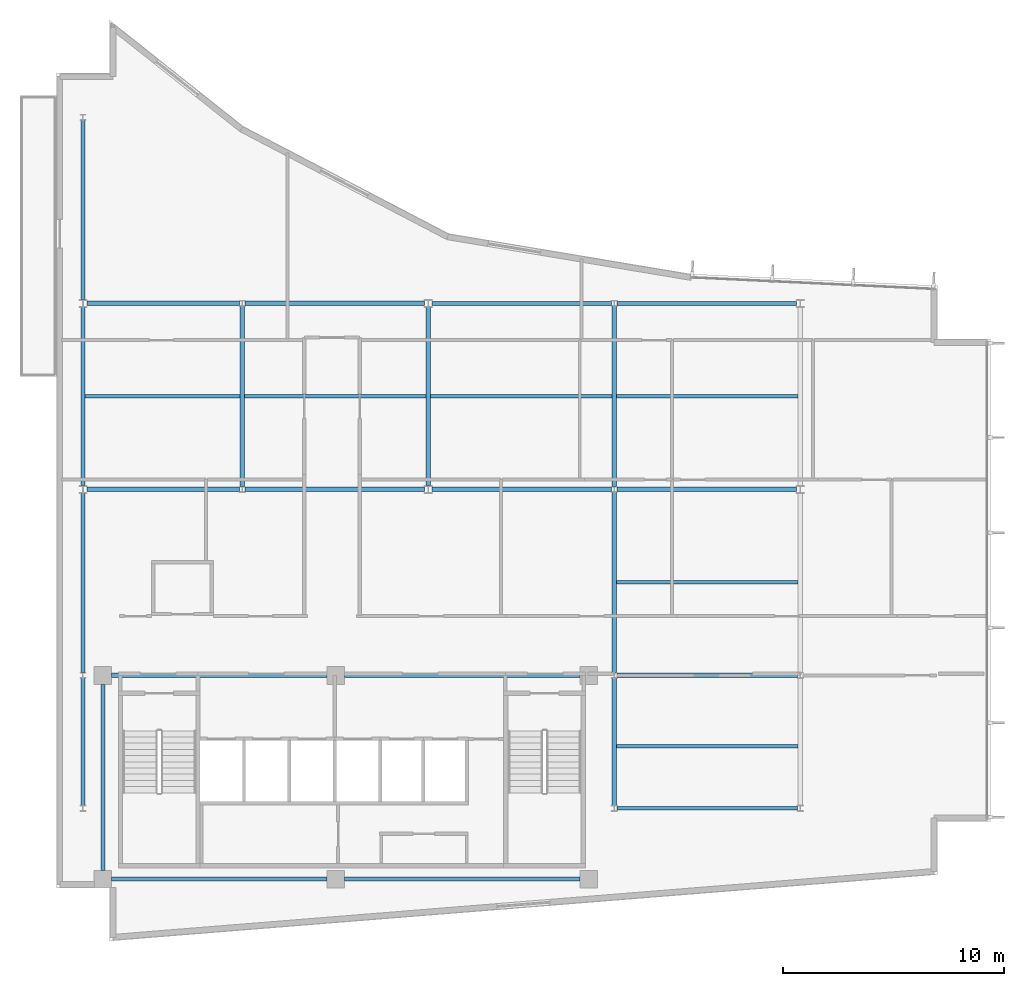
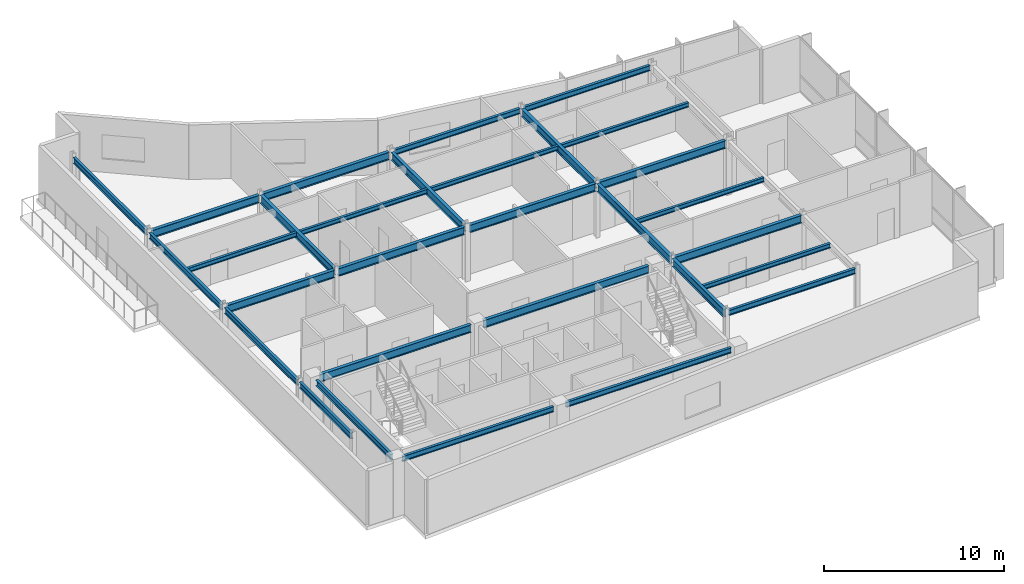
# One storey, part 5 of 16: 30 beams.
"""IFC4 building model written with IfcOpenShell, lengths in metres."""

from ifc_helpers import new_model, si_unit, direction, frame, origin, origin_2d, place, context, subcontext, project, spatial, i_section, extrude, material, material_profile, profile_set, type_object, element, save


model = new_model("IFC4")

# Units and contexts
model_context = context("Model", 3, precision=1e-05, world=origin(), true_north=direction((0.0, 1.0)))
body_context = subcontext(model_context, "Body", "Model", "MODEL_VIEW")
ifc_project = project(units=[si_unit("LENGTHUNIT", "METRE"), si_unit("AREAUNIT", "SQUARE_METRE"), si_unit("VOLUMEUNIT", "CUBIC_METRE"), si_unit("PLANEANGLEUNIT", "RADIAN"), si_unit("MASSUNIT", "GRAM", prefix="KILO")], contexts=[model_context])

# Site, building, storey
site_placement = place(None, origin())
site = spatial("IfcSite", under=ifc_project, at=site_placement, CompositionType="ELEMENT")
building_placement = place(site_placement, origin())
building = spatial("IfcBuilding", under=site, at=building_placement, Name="Varnakote Quay Hospital", CompositionType="ELEMENT")
storey_placement = place(building_placement, frame((0.0, 0.0, 264.449951171875)))
storey = spatial("IfcBuildingStorey", under=building, at=storey_placement, Name="L65", CompositionType="ELEMENT", Elevation=264.449951171875)

# Beams
ifc_material_1 = material(Name="Structural steel AS/NZS 3679.1 Grade 350 L0 (fy 340 MPa)", Category="steel")
ifc_material_profile_1 = material_profile(ifc_material_1, i_section(OverallWidth=0.208984375, OverallDepth=0.528076171875, WebThickness=0.009521484375, FlangeThickness=0.01318359375, FilletRadius=0.013916015625, at=origin_2d()), Name="530UB82.0")
ifc_profile_set_1 = profile_set([ifc_material_profile_1], Name="Structural steel AS/NZS 3679.1 Grade 350 L0 (fy 340 MPa)")
beam_type_1 = type_object("IfcBeamType", Name="BM-STL-530UB82-0", PredefinedType="BEAM", material=ifc_profile_set_1)
beam_1_placement = place(storey_placement, frame((2.5, 12.0, 3.446044921875), z_axis=(1.0, 0.0, 0.0), x_axis=(0.0, 1.0, 0.0)))
element("IfcBeam", 1, at=beam_1_placement, inside=storey, type_object=beam_type_1, Name="L65 Primary Floor Beam", PredefinedType="BEAM", context=body_context, shape_type="SweptSolid", body=[
    extrude(i_section(OverallWidth=0.208984375, OverallDepth=0.528076171875, WebThickness=0.009521484375, FlangeThickness=0.01318359375, FilletRadius=0.013916015625, at=origin_2d()), origin(), (0.0, 0.0, 1.0), 9.719970703125),
])
beam_2_placement = place(storey_placement, frame((13.02001953125, 12.0, 3.446044921875), z_axis=(1.0, 0.0, 0.0), x_axis=(0.0, 1.0, 0.0)))
element("IfcBeam", 2, at=beam_2_placement, inside=storey, type_object=beam_type_1, Name="L65 Primary Floor Beam", PredefinedType="BEAM", context=body_context, shape_type="SweptSolid", body=[
    extrude(i_section(OverallWidth=0.208984375, OverallDepth=0.528076171875, WebThickness=0.009521484375, FlangeThickness=0.01318359375, FilletRadius=0.013916015625, at=origin_2d()), origin(), (0.0, 0.0, 1.0), 10.6298828125),
])
beam_3_placement = place(storey_placement, frame((25.326904296875, 12.0, 3.446044921875), z_axis=(1.0, 0.0, 0.0), x_axis=(0.0, 1.0, 0.0)))
element("IfcBeam", 3, at=beam_3_placement, inside=storey, type_object=beam_type_1, Name="L65 Primary Floor Beam", PredefinedType="BEAM", context=body_context, shape_type="SweptSolid", body=[
    extrude(i_section(OverallWidth=0.208984375, OverallDepth=0.528076171875, WebThickness=0.009521484375, FlangeThickness=0.01318359375, FilletRadius=0.013916015625, at=origin_2d()), origin(), (0.0, 0.0, 1.0), 8.14599609375),
])
beam_4_placement = place(storey_placement, frame((1.375, 20.39990234375, 3.446044921875), z_axis=(1.0, 0.0, 0.0), x_axis=(0.0, 1.0, 0.0)))
element("IfcBeam", 4, at=beam_4_placement, inside=storey, type_object=beam_type_1, Name="L65 Primary Floor Beam", PredefinedType="BEAM", context=body_context, shape_type="SweptSolid", body=[
    extrude(i_section(OverallWidth=0.208984375, OverallDepth=0.528076171875, WebThickness=0.009521484375, FlangeThickness=0.01318359375, FilletRadius=0.013916015625, at=origin_2d()), origin(), (0.0, 0.0, 1.0), 6.89794921875),
])
for number, where, z_axis, x_axis, name in (
    (5, (8.527099609375, 20.39990234375, 3.446044921875), (1.0, 0.0, 0.0), (0.0, 1.0, 0.0), "L65 Primary Floor Beam"),
    (6, (16.97509765625, 20.39990234375, 3.446044921875), (1.0, 0.0, 0.0), (0.0, 1.0, 0.0), "L65 Primary Floor Beam"),
):
    element("IfcBeam", number, at=place(storey_placement, frame(where, z_axis=z_axis, x_axis=x_axis)), inside=storey, type_object=beam_type_1, Name=name, PredefinedType="BEAM", context=body_context, shape_type="SweptSolid", body=[
        extrude(i_section(OverallWidth=0.208984375, OverallDepth=0.528076171875, WebThickness=0.009521484375, FlangeThickness=0.01318359375, FilletRadius=0.013916015625, at=origin_2d()), origin(), (0.0, 0.0, 1.0), 8.097900390625),
    ])
beam_5_placement = place(storey_placement, frame((25.326904296875, 20.39990234375, 3.446044921875), z_axis=(1.0, 0.0, 0.0), x_axis=(0.0, 1.0, 0.0)))
element("IfcBeam", 7, at=beam_5_placement, inside=storey, type_object=beam_type_1, Name="L65 Primary Floor Beam", PredefinedType="BEAM", context=body_context, shape_type="SweptSolid", body=[
    extrude(i_section(OverallWidth=0.208984375, OverallDepth=0.528076171875, WebThickness=0.009521484375, FlangeThickness=0.01318359375, FilletRadius=0.013916015625, at=origin_2d()), origin(), (0.0, 0.0, 1.0), 8.09814453125),
])
beam_6_placement = place(storey_placement, frame((1.375, 28.800048828125, 3.446044921875), z_axis=(1.0, 0.0, 0.0), x_axis=(0.0, 1.0, 0.0)))
element("IfcBeam", 8, at=beam_6_placement, inside=storey, type_object=beam_type_1, Name="L65 Primary Floor Beam", PredefinedType="BEAM", context=body_context, shape_type="SweptSolid", body=[
    extrude(i_section(OverallWidth=0.208984375, OverallDepth=0.528076171875, WebThickness=0.009521484375, FlangeThickness=0.01318359375, FilletRadius=0.013916015625, at=origin_2d()), origin(), (0.0, 0.0, 1.0), 6.89794921875),
])
beam_7_placement = place(storey_placement, frame((8.527099609375, 28.800048828125, 3.446044921875), z_axis=(1.0, 0.0, 0.0), x_axis=(0.0, 1.0, 0.0)))
element("IfcBeam", 9, at=beam_7_placement, inside=storey, type_object=beam_type_1, Name="L65 Primary Floor Beam", PredefinedType="BEAM", context=body_context, shape_type="SweptSolid", body=[
    extrude(i_section(OverallWidth=0.208984375, OverallDepth=0.528076171875, WebThickness=0.009521484375, FlangeThickness=0.01318359375, FilletRadius=0.013916015625, at=origin_2d()), origin(), (0.0, 0.0, 1.0), 8.097900390625),
])
beam_8_placement = place(storey_placement, frame((8.39990234375, 20.527099609375, 3.446044921875), z_axis=(0.0, 1.0, 0.0), x_axis=(-1.0, 0.0, 0.0)))
element("IfcBeam", 10, at=beam_8_placement, inside=storey, type_object=beam_type_1, Name="L65 Primary Tie Beam", PredefinedType="BEAM", context=body_context, shape_type="SweptSolid", body=[
    extrude(i_section(OverallWidth=0.208984375, OverallDepth=0.528076171875, WebThickness=0.009521484375, FlangeThickness=0.01318359375, FilletRadius=0.013916015625, at=origin_2d()), origin(), (0.0, 0.0, 1.0), 8.14599609375),
])
beam_9_placement = place(storey_placement, frame((16.800048828125, 20.570068359375, 3.446044921875), z_axis=(0.0, 1.0, 0.0), x_axis=(-1.0, 0.0, 0.0)))
element("IfcBeam", 11, at=beam_9_placement, inside=storey, type_object=beam_type_1, Name="L65 Primary Tie Beam", PredefinedType="BEAM", context=body_context, shape_type="SweptSolid", body=[
    extrude(i_section(OverallWidth=0.208984375, OverallDepth=0.528076171875, WebThickness=0.009521484375, FlangeThickness=0.01318359375, FilletRadius=0.013916015625, at=origin_2d()), origin(), (0.0, 0.0, 1.0), 8.059814453125),
])
beam_10_placement = place(storey_placement, frame((25.199951171875, 6.126953125, 3.446044921875), z_axis=(0.0, 1.0, 0.0), x_axis=(-1.0, 0.0, 0.0)))
element("IfcBeam", 12, at=beam_10_placement, inside=storey, type_object=beam_type_1, Name="L65 Primary Tie Beam", PredefinedType="BEAM", context=body_context, shape_type="SweptSolid", body=[
    extrude(i_section(OverallWidth=0.208984375, OverallDepth=0.528076171875, WebThickness=0.009521484375, FlangeThickness=0.01318359375, FilletRadius=0.013916015625, at=origin_2d()), origin(), (0.0, 0.0, 1.0), 5.74609375),
])
for number, where, z_axis, x_axis, name in (
    (13, (25.199951171875, 12.126953125, 3.446044921875), (0.0, 1.0, 0.0), (-1.0, 0.0, 0.0), "L65 Primary Tie Beam"),
    (14, (25.199951171875, 20.527099609375, 3.446044921875), (0.0, 1.0, 0.0), (-1.0, 0.0, 0.0), "L65 Primary Tie Beam"),
):
    element("IfcBeam", number, at=place(storey_placement, frame(where, z_axis=z_axis, x_axis=x_axis)), inside=storey, type_object=beam_type_1, Name=name, PredefinedType="BEAM", context=body_context, shape_type="SweptSolid", body=[
        extrude(i_section(OverallWidth=0.208984375, OverallDepth=0.528076171875, WebThickness=0.009521484375, FlangeThickness=0.01318359375, FilletRadius=0.013916015625, at=origin_2d()), origin(), (0.0, 0.0, 1.0), 8.14599609375),
    ])
ifc_material_2 = material(Name="Structural steel AS/NZS 3679.1 Grade 350 L0 (fy 340 MPa)", Category="steel")
ifc_material_profile_2 = material_profile(ifc_material_2, i_section(OverallWidth=0.1650390625, OverallDepth=0.303955078125, WebThickness=0.006103515625, FlangeThickness=0.01025390625, FilletRadius=0.011474609375, at=origin_2d()), Name="310UB40.4")
ifc_profile_set_2 = profile_set([ifc_material_profile_2], Name="Structural steel AS/NZS 3679.1 Grade 350 L0 (fy 340 MPa)")
beam_type_2 = type_object("IfcBeamType", Name="JST-STL-310UB40-4", PredefinedType="JOIST", material=ifc_profile_set_2)
for number, where, z_axis, x_axis, name in (
    (15, (25.304443359375, 8.800048828125, 3.55810546875), (1.0, 0.0, 0.0), (0.0, 1.0, 0.0), "L65 Composite Floor Joist"),
    (16, (25.304443359375, 16.199951171875, 3.55810546875), (1.0, 0.0, 0.0), (0.0, 1.0, 0.0), "L65 Composite Floor Joist"),
):
    element("IfcBeam", number, at=place(storey_placement, frame(where, z_axis=z_axis, x_axis=x_axis)), inside=storey, type_object=beam_type_2, Name=name, PredefinedType="JOIST", context=body_context, shape_type="SweptSolid", body=[
        extrude(i_section(OverallWidth=0.1650390625, OverallDepth=0.303955078125, WebThickness=0.006103515625, FlangeThickness=0.01025390625, FilletRadius=0.011474609375, at=origin_2d()), origin(), (0.0, 0.0, 1.0), 8.191162109375),
    ])
beam_11_placement = place(storey_placement, frame((1.2890625, 24.60009765625, 3.55810546875), z_axis=(1.0, 0.0, 0.0), x_axis=(0.0, 1.0, 0.0)))
element("IfcBeam", 17, at=beam_11_placement, inside=storey, type_object=beam_type_2, Name="L65 Composite Floor Joist", PredefinedType="JOIST", context=body_context, shape_type="SweptSolid", body=[
    extrude(i_section(OverallWidth=0.1650390625, OverallDepth=0.303955078125, WebThickness=0.006103515625, FlangeThickness=0.01025390625, FilletRadius=0.011474609375, at=origin_2d()), origin(), (0.0, 0.0, 1.0), 7.00634765625),
])
beam_12_placement = place(storey_placement, frame((8.50439453125, 24.60009765625, 3.55810546875), z_axis=(1.0, 0.0, 0.0), x_axis=(0.0, 1.0, 0.0)))
element("IfcBeam", 18, at=beam_12_placement, inside=storey, type_object=beam_type_2, Name="L65 Composite Floor Joist", PredefinedType="JOIST", context=body_context, shape_type="SweptSolid", body=[
    extrude(i_section(OverallWidth=0.1650390625, OverallDepth=0.303955078125, WebThickness=0.006103515625, FlangeThickness=0.01025390625, FilletRadius=0.011474609375, at=origin_2d()), origin(), (0.0, 0.0, 1.0), 8.191162109375),
])
beam_13_placement = place(storey_placement, frame((16.904541015625, 24.60009765625, 3.55810546875), z_axis=(1.0, 0.0, 0.0), x_axis=(0.0, 1.0, 0.0)))
element("IfcBeam", 19, at=beam_13_placement, inside=storey, type_object=beam_type_2, Name="L65 Composite Floor Joist", PredefinedType="JOIST", context=body_context, shape_type="SweptSolid", body=[
    extrude(i_section(OverallWidth=0.1650390625, OverallDepth=0.303955078125, WebThickness=0.006103515625, FlangeThickness=0.01025390625, FilletRadius=0.011474609375, at=origin_2d()), origin(), (0.0, 0.0, 1.0), 8.19091796875),
])
beam_14_placement = place(storey_placement, frame((25.304443359375, 24.60009765625, 3.55810546875), z_axis=(1.0, 0.0, 0.0), x_axis=(0.0, 1.0, 0.0)))
element("IfcBeam", 20, at=beam_14_placement, inside=storey, type_object=beam_type_2, Name="L65 Composite Floor Joist", PredefinedType="JOIST", context=body_context, shape_type="SweptSolid", body=[
    extrude(i_section(OverallWidth=0.1650390625, OverallDepth=0.303955078125, WebThickness=0.006103515625, FlangeThickness=0.01025390625, FilletRadius=0.011474609375, at=origin_2d()), origin(), (0.0, 0.0, 1.0), 8.191162109375),
])
ifc_material_3 = material(Name="Structural steel AS/NZS 3679.1 Grade 350 L0 (fy 340 MPa)", Category="steel")
ifc_material_profile_3 = material_profile(ifc_material_3, i_section(OverallWidth=0.172119140625, OverallDepth=0.35888671875, WebThickness=0.008056640625, FlangeThickness=0.012939453125, FilletRadius=0.011474609375, at=origin_2d()), Name="360UB56.7")
ifc_profile_set_3 = profile_set([ifc_material_profile_3], Name="Structural steel AS/NZS 3679.1 Grade 350 L0 (fy 340 MPa)")
beam_type_3 = type_object("IfcBeamType", Name="SPN-STL-360UB56-7", PredefinedType="SPANDREL", material=ifc_profile_set_3)
beam_15_placement = place(storey_placement, frame((2.5, 2.800048828125, 3.530517578125), z_axis=(1.0, 0.0, 0.0), x_axis=(0.0, 1.0, 0.0)))
element("IfcBeam", 21, at=beam_15_placement, inside=storey, type_object=beam_type_3, Name="L65 Perimeter Spandrel Beam", PredefinedType="SPANDREL", context=body_context, shape_type="SweptSolid", body=[
    extrude(i_section(OverallWidth=0.172119140625, OverallDepth=0.35888671875, WebThickness=0.008056640625, FlangeThickness=0.012939453125, FilletRadius=0.011474609375, at=origin_2d()), origin(), (0.0, 0.0, 1.0), 9.719970703125),
])
beam_16_placement = place(storey_placement, frame((13.02001953125, 2.800048828125, 3.530517578125), z_axis=(1.0, 0.0, 0.0), x_axis=(0.0, 1.0, 0.0)))
element("IfcBeam", 22, at=beam_16_placement, inside=storey, type_object=beam_type_3, Name="L65 Perimeter Spandrel Beam", PredefinedType="SPANDREL", context=body_context, shape_type="SweptSolid", body=[
    extrude(i_section(OverallWidth=0.172119140625, OverallDepth=0.35888671875, WebThickness=0.008056640625, FlangeThickness=0.012939453125, FilletRadius=0.011474609375, at=origin_2d()), origin(), (0.0, 0.0, 1.0), 10.6298828125),
])
beam_17_placement = place(storey_placement, frame((25.326904296875, 6.0, 3.530517578125), z_axis=(1.0, 0.0, 0.0), x_axis=(0.0, 1.0, 0.0)))
element("IfcBeam", 23, at=beam_17_placement, inside=storey, type_object=beam_type_3, Name="L65 Perimeter Spandrel Beam", PredefinedType="SPANDREL", context=body_context, shape_type="SweptSolid", body=[
    extrude(i_section(OverallWidth=0.172119140625, OverallDepth=0.35888671875, WebThickness=0.008056640625, FlangeThickness=0.012939453125, FilletRadius=0.011474609375, at=origin_2d()), origin(), (0.0, 0.0, 1.0), 8.14599609375),
])
beam_18_placement = place(storey_placement, frame((16.97509765625, 28.800048828125, 3.530517578125), z_axis=(1.0, 0.0, 0.0), x_axis=(0.0, 1.0, 0.0)))
element("IfcBeam", 24, at=beam_18_placement, inside=storey, type_object=beam_type_3, Name="L65 Perimeter Spandrel Beam", PredefinedType="SPANDREL", context=body_context, shape_type="SweptSolid", body=[
    extrude(i_section(OverallWidth=0.172119140625, OverallDepth=0.35888671875, WebThickness=0.008056640625, FlangeThickness=0.012939453125, FilletRadius=0.011474609375, at=origin_2d()), origin(), (0.0, 0.0, 1.0), 8.097900390625),
])
beam_19_placement = place(storey_placement, frame((25.326904296875, 28.800048828125, 3.530517578125), z_axis=(1.0, 0.0, 0.0), x_axis=(0.0, 1.0, 0.0)))
element("IfcBeam", 25, at=beam_19_placement, inside=storey, type_object=beam_type_3, Name="L65 Perimeter Spandrel Beam", PredefinedType="SPANDREL", context=body_context, shape_type="SweptSolid", body=[
    extrude(i_section(OverallWidth=0.172119140625, OverallDepth=0.35888671875, WebThickness=0.008056640625, FlangeThickness=0.012939453125, FilletRadius=0.011474609375, at=origin_2d()), origin(), (0.0, 0.0, 1.0), 8.09814453125),
])
ifc_material_4 = material(Name="Structural steel AS/NZS 3679.1 Grade 350 L0 (fy 340 MPa)", Category="steel")
ifc_material_profile_4 = material_profile(ifc_material_4, i_section(OverallWidth=0.177978515625, OverallDepth=0.403076171875, WebThickness=0.007568359375, FlangeThickness=0.010986328125, FilletRadius=0.011474609375, at=origin_2d()), Name="410UB53.7")
ifc_profile_set_4 = profile_set([ifc_material_profile_4], Name="Structural steel AS/NZS 3679.1 Grade 350 L0 (fy 340 MPa)")
beam_type_4 = type_object("IfcBeamType", Name="SPN-STL-410UB53-7", PredefinedType="SPANDREL", material=ifc_profile_set_4)
beam_20_placement = place(storey_placement, frame((1.199951171875, 6.126953125, 3.508544921875), z_axis=(0.0, 1.0, 0.0), x_axis=(-1.0, 0.0, 0.0)))
element("IfcBeam", 26, at=beam_20_placement, inside=storey, type_object=beam_type_4, Name="L65 Perimeter Spandrel Beam", PredefinedType="SPANDREL", context=body_context, shape_type="SweptSolid", body=[
    extrude(i_section(OverallWidth=0.177978515625, OverallDepth=0.403076171875, WebThickness=0.007568359375, FlangeThickness=0.010986328125, FilletRadius=0.011474609375, at=origin_2d()), origin(), (0.0, 0.0, 1.0), 5.74609375),
])
beam_21_placement = place(storey_placement, frame((1.199951171875, 12.126953125, 3.508544921875), z_axis=(0.0, 1.0, 0.0), x_axis=(-1.0, 0.0, 0.0)))
element("IfcBeam", 27, at=beam_21_placement, inside=storey, type_object=beam_type_4, Name="L65 Perimeter Spandrel Beam", PredefinedType="SPANDREL", context=body_context, shape_type="SweptSolid", body=[
    extrude(i_section(OverallWidth=0.177978515625, OverallDepth=0.403076171875, WebThickness=0.007568359375, FlangeThickness=0.010986328125, FilletRadius=0.011474609375, at=origin_2d()), origin(), (0.0, 0.0, 1.0), 8.10302734375),
])
beam_22_placement = place(storey_placement, frame((1.199951171875, 20.570068359375, 3.508544921875), z_axis=(0.0, 1.0, 0.0), x_axis=(-1.0, 0.0, 0.0)))
element("IfcBeam", 28, at=beam_22_placement, inside=storey, type_object=beam_type_4, Name="L65 Perimeter Spandrel Beam", PredefinedType="SPANDREL", context=body_context, shape_type="SweptSolid", body=[
    extrude(i_section(OverallWidth=0.177978515625, OverallDepth=0.403076171875, WebThickness=0.007568359375, FlangeThickness=0.010986328125, FilletRadius=0.011474609375, at=origin_2d()), origin(), (0.0, 0.0, 1.0), 8.059814453125),
])
beam_23_placement = place(storey_placement, frame((1.199951171875, 28.969970703125, 3.508544921875), z_axis=(0.0, 1.0, 0.0), x_axis=(-1.0, 0.0, 0.0)))
element("IfcBeam", 29, at=beam_23_placement, inside=storey, type_object=beam_type_4, Name="L65 Perimeter Spandrel Beam", PredefinedType="SPANDREL", context=body_context, shape_type="SweptSolid", body=[
    extrude(i_section(OverallWidth=0.177978515625, OverallDepth=0.403076171875, WebThickness=0.007568359375, FlangeThickness=0.010986328125, FilletRadius=0.011474609375, at=origin_2d()), origin(), (0.0, 0.0, 1.0), 8.10302734375),
])
beam_24_placement = place(storey_placement, frame((2.10009765625, 3.199951171875, 3.508544921875), z_axis=(0.0, 1.0, 0.0), x_axis=(-1.0, 0.0, 0.0)))
element("IfcBeam", 30, at=beam_24_placement, inside=storey, type_object=beam_type_4, Name="L65 Perimeter Spandrel Beam", PredefinedType="SPANDREL", context=body_context, shape_type="SweptSolid", body=[
    extrude(i_section(OverallWidth=0.177978515625, OverallDepth=0.403076171875, WebThickness=0.007568359375, FlangeThickness=0.010986328125, FilletRadius=0.011474609375, at=origin_2d()), origin(), (0.0, 0.0, 1.0), 8.400146484375),
])

save(model, "model.ifc")
